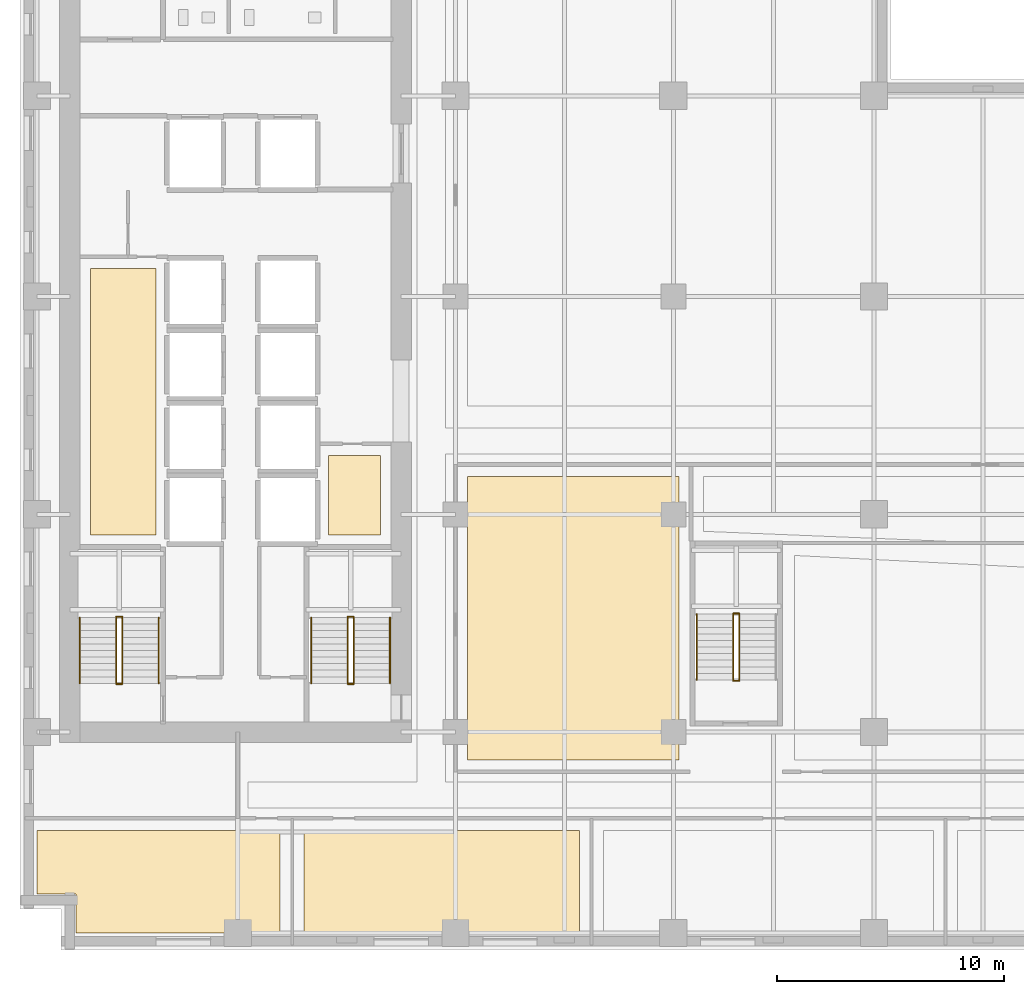
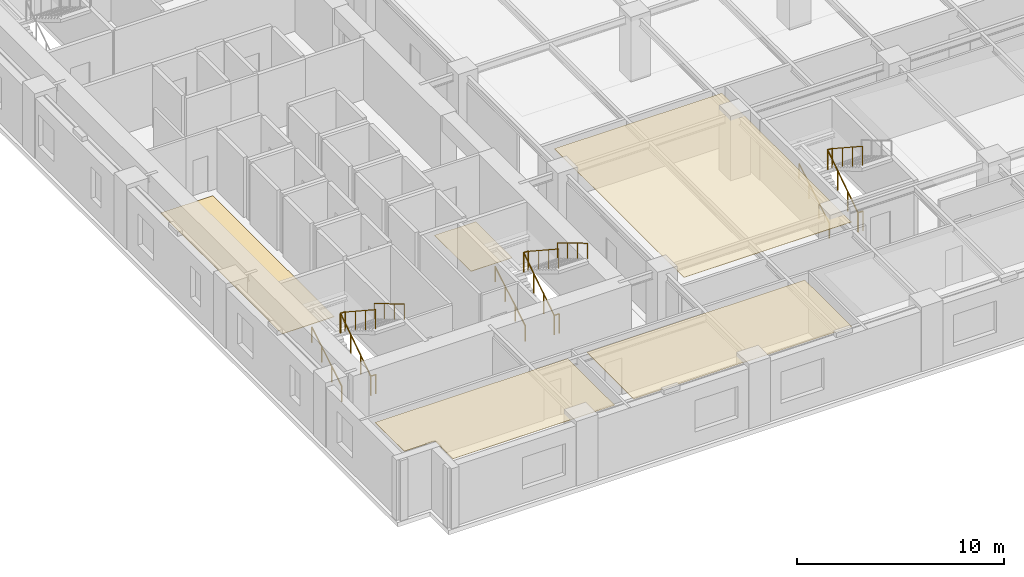
# One storey, part 9 of 13: 17 railings, 5 coverings.
"""IFC4 building model written with IfcOpenShell, lengths in metres."""

from ifc_helpers import new_model, si_unit, direction, frame, origin, origin_2d, place, context, subcontext, project, spatial, polyline, circle, outline, extrude, material, layer, layer_set, type_object, element, save


model = new_model("IFC4")

# Units and contexts
model_context = context("Model", 3, precision=1e-05, world=origin(), true_north=direction((0.0, 1.0)))
body_context = subcontext(model_context, "Body", "Model", "MODEL_VIEW")
ifc_project = project(units=[si_unit("LENGTHUNIT", "METRE"), si_unit("AREAUNIT", "SQUARE_METRE"), si_unit("VOLUMEUNIT", "CUBIC_METRE"), si_unit("PLANEANGLEUNIT", "RADIAN"), si_unit("MASSUNIT", "GRAM", prefix="KILO")], contexts=[model_context])

# Site, building, storey
site_placement = place(None, origin())
site = spatial("IfcSite", under=ifc_project, at=site_placement, CompositionType="ELEMENT")
building_placement = place(site_placement, origin())
building = spatial("IfcBuilding", under=site, at=building_placement, Name="Norrvale University Quadrangle", CompositionType="ELEMENT")
storey_placement = place(building_placement, frame((0.0, 0.0, 35.60009765625)))
storey = spatial("IfcBuildingStorey", under=building, at=storey_placement, Name="L08", CompositionType="ELEMENT", Elevation=35.60009765625)

# Coverings
ifc_material_1 = material(Name="Perforated Acoustic Mineral Ceiling")
ifc_layer_1 = layer(ifc_material_1, 0.02490234375, Name="Perforated Acoustic Mineral Ceiling")
ifc_layer_set_1 = layer_set([ifc_layer_1], Name="Perforated Acoustic Mineral Ceiling")
covering_type_1 = type_object("IfcCoveringType", Name="Covering Acoustic Ceiling 25", PredefinedType="CEILING", material=ifc_layer_set_1)
covering_1_placement = place(storey_placement, frame((0.0, 0.0, 3.514892578125)))
element("IfcCovering", 1, at=covering_1_placement, inside=storey, type_object=covering_type_1, Name="Acoustic Ceiling RM-L08-S01", PredefinedType="CEILING", context=body_context, shape_type="SweptSolid", body=[
    extrude(outline(polyline([(0.75, 5.27001953125), (11.469970703125, 5.27001953125), (11.469970703125, 0.75), (2.469970703125, 0.75), (2.469970703125, 2.469970703125), (0.75, 2.469970703125), (0.75, 5.27001953125)])), origin(), (0.0, 0.0, 1.0), 0.02490234375),
])
covering_2_placement = place(storey_placement, frame((0.0, 0.0, 3.514892578125)))
element("IfcCovering", 2, at=covering_2_placement, inside=storey, type_object=covering_type_1, Name="Acoustic Ceiling RM-L08-S02", PredefinedType="CEILING", context=body_context, shape_type="SweptSolid", body=[
    extrude(outline(polyline([(12.530029296875, 5.27001953125), (24.669921875, 5.27001953125), (24.669921875, 0.75), (12.530029296875, 0.75), (12.530029296875, 5.27001953125)])), origin(), (0.0, 0.0, 1.0), 0.02490234375),
])
covering_3_placement = place(storey_placement, frame((0.0, 0.0, 3.514892578125)))
element("IfcCovering", 3, at=covering_3_placement, inside=storey, type_object=covering_type_1, Name="Acoustic Ceiling RM-L08-IW1", PredefinedType="CEILING", context=body_context, shape_type="SweptSolid", body=[
    extrude(outline(polyline([(19.72998046875, 8.3798828125), (19.72998046875, 20.8701171875), (29.050048828125, 20.8701171875), (29.050048828125, 8.3798828125), (19.72998046875, 8.3798828125)])), origin(), (0.0, 0.0, 1.0), 0.02490234375),
])
ifc_material_2 = material(Name="Polished Terrazzo Flooring")
ifc_layer_2 = layer(ifc_material_2, 0.02490234375, Name="Polished Terrazzo Flooring")
ifc_layer_set_2 = layer_set([ifc_layer_2], Name="Polished Terrazzo Flooring")
covering_type_2 = type_object("IfcCoveringType", Name="Covering Terrazzo Floor 30", PredefinedType="FLOORING", material=ifc_layer_set_2)
covering_4_placement = place(storey_placement, origin())
element("IfcCovering", 4, at=covering_4_placement, inside=storey, type_object=covering_type_2, Name="Terrazzo Flooring RM-L08-JAN", PredefinedType="FLOORING", context=body_context, shape_type="SweptSolid", body=[
    extrude(outline(polyline([(13.60009765625, 18.300048828125), (13.60009765625, 21.800048828125), (15.89990234375, 21.800048828125), (15.89990234375, 18.300048828125), (13.60009765625, 18.300048828125)])), origin(), (0.0, 0.0, 1.0), 0.02490234375),
])
covering_5_placement = place(storey_placement, origin())
element("IfcCovering", 5, at=covering_5_placement, inside=storey, type_object=covering_type_2, Name="Terrazzo Flooring RM-L08-WSTOR", PredefinedType="FLOORING", context=body_context, shape_type="SweptSolid", body=[
    extrude(outline(polyline([(3.10009765625, 18.300048828125), (3.10009765625, 30.030029296875), (6.0, 30.030029296875), (6.0, 18.300048828125), (3.10009765625, 18.300048828125)])), origin(), (0.0, 0.0, 1.0), 0.02490234375),
])

# Railings
ifc_material_3 = material(Name="Steel 350W Painted Balustrade", Category="steel")
railing_type_1 = type_object("IfcRailingType", Name="Railing Stair Guard 1100", PredefinedType="GUARDRAIL", material=ifc_material_3)
for number, where, name in (
    (6, (4.239990234375, 11.719970703125, 0.0), "Stair Floor Well Guard ST-01 L08"),
    (7, (4.239990234375, 14.679931640625, 1.89990234375), "Stair Mid-Landing Slot Guard ST-01 L08"),
):
    element("IfcRailing", number, at=place(storey_placement, frame(where)), inside=storey, type_object=railing_type_1, Name=name, PredefinedType="GUARDRAIL", context=body_context, shape_type="SweptSolid", body=[
        extrude(circle(Radius=0.02392578125, at=origin_2d()), frame((0.0, 0.0, 1.1259765625), z_axis=(1.0, 0.0, 0.0), x_axis=(0.0, 1.0, 0.0)), (0.0, 0.0, 1.0), 0.27001953125),
        extrude(circle(Radius=0.02099609375, at=origin_2d()), origin(), (0.0, 0.0, 1.0), 1.101806640625),
        extrude(circle(Radius=0.02099609375, at=origin_2d()), frame((0.27001953125, 0.0, 0.0)), (0.0, 0.0, 1.0), 1.101806640625),
    ])
railing_1_placement = place(storey_placement, frame((4.239990234375, 11.75, 0.0)))
element("IfcRailing", 8, at=railing_1_placement, inside=storey, type_object=railing_type_1, Name="Stair Lower Flight Inner Guard ST-01 L08", PredefinedType="GUARDRAIL", context=body_context, shape_type="SweptSolid", body=[
    extrude(circle(Radius=0.02392578125, at=origin_2d()), frame((0.0, 0.0, 1.1259765625), z_axis=(0.0, 0.836465582154, 0.548019461216), x_axis=(-1.0, 0.0, 0.0)), (0.0, 0.0, 1.0), 3.466796875),
    extrude(circle(Radius=0.02099609375, at=origin_2d()), origin(), (0.0, 0.0, 1.0), 1.101806640625),
    extrude(circle(Radius=0.02099609375, at=origin_2d()), frame((0.0, 0.966552734375, 0.63330078125)), (0.0, 0.0, 1.0), 1.101806640625),
    extrude(circle(Radius=0.02099609375, at=origin_2d()), frame((0.0, 1.933349609375, 1.2666015625)), (0.0, 0.0, 1.0), 1.101806640625),
    extrude(circle(Radius=0.02099609375, at=origin_2d()), frame((0.0, 2.89990234375, 1.89990234375)), (0.0, 0.0, 1.0), 1.101806640625),
])
railing_2_placement = place(storey_placement, frame((4.510009765625, 14.64990234375, 1.89990234375)))
element("IfcRailing", 9, at=railing_2_placement, inside=storey, type_object=railing_type_1, Name="Stair Upper Flight Inner Guard ST-01 L08", PredefinedType="GUARDRAIL", context=body_context, shape_type="SweptSolid", body=[
    extrude(circle(Radius=0.02392578125, at=origin_2d()), frame((0.0, 0.0, 1.1259765625), z_axis=(0.0, -0.836465582154, 0.548019461216), x_axis=(1.0, 0.0, 0.0)), (0.0, 0.0, 1.0), 3.466796875),
    extrude(circle(Radius=0.02099609375, at=origin_2d()), origin(), (0.0, 0.0, 1.0), 1.101806640625),
    extrude(circle(Radius=0.02099609375, at=origin_2d()), frame((0.0, -0.966552734375, 0.63330078125)), (0.0, 0.0, 1.0), 1.101806640625),
    extrude(circle(Radius=0.02099609375, at=origin_2d()), frame((0.0, -1.933349609375, 1.2666015625)), (0.0, 0.0, 1.0), 1.101806640625),
    extrude(circle(Radius=0.02099609375, at=origin_2d()), frame((0.0, -2.89990234375, 1.89990234375)), (0.0, 0.0, 1.0), 1.101806640625),
])
for number, where, name in (
    (10, (14.43994140625, 11.719970703125, 0.0), "Stair Floor Well Guard ST-03 L08"),
    (11, (14.43994140625, 14.679931640625, 1.89990234375), "Stair Mid-Landing Slot Guard ST-03 L08"),
):
    element("IfcRailing", number, at=place(storey_placement, frame(where)), inside=storey, type_object=railing_type_1, Name=name, PredefinedType="GUARDRAIL", context=body_context, shape_type="SweptSolid", body=[
        extrude(circle(Radius=0.02392578125, at=origin_2d()), frame((0.0, 0.0, 1.1259765625), z_axis=(1.0, 0.0, 0.0), x_axis=(0.0, 1.0, 0.0)), (0.0, 0.0, 1.0), 0.27001953125),
        extrude(circle(Radius=0.02099609375, at=origin_2d()), origin(), (0.0, 0.0, 1.0), 1.101806640625),
        extrude(circle(Radius=0.02099609375, at=origin_2d()), frame((0.27001953125, 0.0, 0.0)), (0.0, 0.0, 1.0), 1.101806640625),
    ])
railing_3_placement = place(storey_placement, frame((14.43994140625, 11.75, 0.0)))
element("IfcRailing", 12, at=railing_3_placement, inside=storey, type_object=railing_type_1, Name="Stair Lower Flight Inner Guard ST-03 L08", PredefinedType="GUARDRAIL", context=body_context, shape_type="SweptSolid", body=[
    extrude(circle(Radius=0.02392578125, at=origin_2d()), frame((0.0, 0.0, 1.1259765625), z_axis=(0.0, 0.836465582154, 0.548019461216), x_axis=(-1.0, 0.0, 0.0)), (0.0, 0.0, 1.0), 3.466796875),
    extrude(circle(Radius=0.02099609375, at=origin_2d()), origin(), (0.0, 0.0, 1.0), 1.101806640625),
    extrude(circle(Radius=0.02099609375, at=origin_2d()), frame((0.0, 0.966552734375, 0.63330078125)), (0.0, 0.0, 1.0), 1.101806640625),
    extrude(circle(Radius=0.02099609375, at=origin_2d()), frame((0.0, 1.933349609375, 1.2666015625)), (0.0, 0.0, 1.0), 1.101806640625),
    extrude(circle(Radius=0.02099609375, at=origin_2d()), frame((0.0, 2.89990234375, 1.89990234375)), (0.0, 0.0, 1.0), 1.101806640625),
])
railing_4_placement = place(storey_placement, frame((14.7099609375, 14.64990234375, 1.89990234375)))
element("IfcRailing", 13, at=railing_4_placement, inside=storey, type_object=railing_type_1, Name="Stair Upper Flight Inner Guard ST-03 L08", PredefinedType="GUARDRAIL", context=body_context, shape_type="SweptSolid", body=[
    extrude(circle(Radius=0.02392578125, at=origin_2d()), frame((0.0, 0.0, 1.1259765625), z_axis=(0.0, -0.836465582154, 0.548019461216), x_axis=(1.0, 0.0, 0.0)), (0.0, 0.0, 1.0), 3.466796875),
    extrude(circle(Radius=0.02099609375, at=origin_2d()), origin(), (0.0, 0.0, 1.0), 1.101806640625),
    extrude(circle(Radius=0.02099609375, at=origin_2d()), frame((0.0, -0.966552734375, 0.63330078125)), (0.0, 0.0, 1.0), 1.101806640625),
    extrude(circle(Radius=0.02099609375, at=origin_2d()), frame((0.0, -1.933349609375, 1.2666015625)), (0.0, 0.0, 1.0), 1.101806640625),
    extrude(circle(Radius=0.02099609375, at=origin_2d()), frame((0.0, -2.89990234375, 1.89990234375)), (0.0, 0.0, 1.0), 1.101806640625),
])
for number, where, name in (
    (14, (31.43994140625, 11.8701171875, 0.0), "Stair Floor Well Guard ST-04 L08"),
    (15, (31.43994140625, 14.830078125, 1.89990234375), "Stair Mid-Landing Slot Guard ST-04 L08"),
):
    element("IfcRailing", number, at=place(storey_placement, frame(where)), inside=storey, type_object=railing_type_1, Name=name, PredefinedType="GUARDRAIL", context=body_context, shape_type="SweptSolid", body=[
        extrude(circle(Radius=0.02392578125, at=origin_2d()), frame((0.0, 0.0, 1.1259765625), z_axis=(1.0, 0.0, 0.0), x_axis=(0.0, 1.0, 0.0)), (0.0, 0.0, 1.0), 0.27001953125),
        extrude(circle(Radius=0.02099609375, at=origin_2d()), origin(), (0.0, 0.0, 1.0), 1.101806640625),
        extrude(circle(Radius=0.02099609375, at=origin_2d()), frame((0.27001953125, 0.0, 0.0)), (0.0, 0.0, 1.0), 1.101806640625),
    ])
railing_5_placement = place(storey_placement, frame((31.43994140625, 11.89990234375, 0.0)))
element("IfcRailing", 16, at=railing_5_placement, inside=storey, type_object=railing_type_1, Name="Stair Lower Flight Inner Guard ST-04 L08", PredefinedType="GUARDRAIL", context=body_context, shape_type="SweptSolid", body=[
    extrude(circle(Radius=0.02392578125, at=origin_2d()), frame((0.0, 0.0, 1.1259765625), z_axis=(0.0, 0.836486729621, 0.547987181573), x_axis=(-1.0, 0.0, 0.0)), (0.0, 0.0, 1.0), 3.467041015625),
    extrude(circle(Radius=0.02099609375, at=origin_2d()), origin(), (0.0, 0.0, 1.0), 1.101806640625),
    extrude(circle(Radius=0.02099609375, at=origin_2d()), frame((0.0, 0.966796875, 0.63330078125)), (0.0, 0.0, 1.0), 1.101806640625),
    extrude(circle(Radius=0.02099609375, at=origin_2d()), frame((0.0, 1.933349609375, 1.2666015625)), (0.0, 0.0, 1.0), 1.101806640625),
    extrude(circle(Radius=0.02099609375, at=origin_2d()), frame((0.0, 2.900146484375, 1.89990234375)), (0.0, 0.0, 1.0), 1.101806640625),
])
railing_6_placement = place(storey_placement, frame((31.7099609375, 14.800048828125, 1.89990234375)))
element("IfcRailing", 17, at=railing_6_placement, inside=storey, type_object=railing_type_1, Name="Stair Upper Flight Inner Guard ST-04 L08", PredefinedType="GUARDRAIL", context=body_context, shape_type="SweptSolid", body=[
    extrude(circle(Radius=0.02392578125, at=origin_2d()), frame((0.0, 0.0, 1.1259765625), z_axis=(0.0, -0.836486729621, 0.547987181573), x_axis=(1.0, 0.0, 0.0)), (0.0, 0.0, 1.0), 3.467041015625),
    extrude(circle(Radius=0.02099609375, at=origin_2d()), origin(), (0.0, 0.0, 1.0), 1.101806640625),
    extrude(circle(Radius=0.02099609375, at=origin_2d()), frame((0.0, -0.966796875, 0.63330078125)), (0.0, 0.0, 1.0), 1.101806640625),
    extrude(circle(Radius=0.02099609375, at=origin_2d()), frame((0.0, -1.933349609375, 1.2666015625)), (0.0, 0.0, 1.0), 1.101806640625),
    extrude(circle(Radius=0.02099609375, at=origin_2d()), frame((0.0, -2.900146484375, 1.89990234375)), (0.0, 0.0, 1.0), 1.101806640625),
])
ifc_material_4 = material(Name="Stainless Steel 316L Handrail", Category="steel")
railing_type_2 = type_object("IfcRailingType", Name="Railing Stair Handrail 920", PredefinedType="HANDRAIL", material=ifc_material_4)
railing_7_placement = place(storey_placement, frame((2.639892578125, 11.75, 0.172607421875)))
element("IfcRailing", 18, at=railing_7_placement, inside=storey, type_object=railing_type_2, Name="Stair Lower Flight Handrail ST-01 L08", PredefinedType="HANDRAIL", context=body_context, shape_type="SweptSolid", body=[
    extrude(circle(Radius=0.02392578125, at=origin_2d()), frame((0.0, 0.0, 0.89599609375), z_axis=(0.0, 0.859141464434, 0.511738159696), x_axis=(-1.0, 0.0, 0.0)), (0.0, 0.0, 1.0), 3.375244140625),
    extrude(circle(Radius=0.02099609375, at=origin_2d()), origin(), (0.0, 0.0, 1.0), 0.871826171875),
    extrude(circle(Radius=0.02099609375, at=origin_2d()), frame((0.0, 0.966552734375, 0.57568359375)), (0.0, 0.0, 1.0), 0.871826171875),
    extrude(circle(Radius=0.02099609375, at=origin_2d()), frame((0.0, 1.933349609375, 1.151611328125)), (0.0, 0.0, 1.0), 0.871826171875),
    extrude(circle(Radius=0.02099609375, at=origin_2d()), frame((0.0, 2.89990234375, 1.727294921875)), (0.0, 0.0, 1.0), 0.871826171875),
])
railing_8_placement = place(storey_placement, frame((6.110107421875, 14.64990234375, 2.072509765625)))
element("IfcRailing", 19, at=railing_8_placement, inside=storey, type_object=railing_type_2, Name="Stair Upper Flight Handrail ST-01 L08", PredefinedType="HANDRAIL", context=body_context, shape_type="SweptSolid", body=[
    extrude(circle(Radius=0.02392578125, at=origin_2d()), frame((0.0, 0.0, 0.89599609375), z_axis=(0.0, -0.859141464434, 0.511738159696), x_axis=(1.0, 0.0, 0.0)), (0.0, 0.0, 1.0), 3.375244140625),
    extrude(circle(Radius=0.02099609375, at=origin_2d()), origin(), (0.0, 0.0, 1.0), 0.871826171875),
    extrude(circle(Radius=0.02099609375, at=origin_2d()), frame((0.0, -0.966552734375, 0.57568359375)), (0.0, 0.0, 1.0), 0.871826171875),
    extrude(circle(Radius=0.02099609375, at=origin_2d()), frame((0.0, -1.933349609375, 1.151611328125)), (0.0, 0.0, 1.0), 0.871826171875),
    extrude(circle(Radius=0.02099609375, at=origin_2d()), frame((0.0, -2.89990234375, 1.727294921875)), (0.0, 0.0, 1.0), 0.871826171875),
])
railing_9_placement = place(storey_placement, frame((12.840087890625, 11.75, 0.172607421875)))
element("IfcRailing", 20, at=railing_9_placement, inside=storey, type_object=railing_type_2, Name="Stair Lower Flight Handrail ST-03 L08", PredefinedType="HANDRAIL", context=body_context, shape_type="SweptSolid", body=[
    extrude(circle(Radius=0.02392578125, at=origin_2d()), frame((0.0, 0.0, 0.89599609375), z_axis=(0.0, 0.859141464434, 0.511738159696), x_axis=(-1.0, 0.0, 0.0)), (0.0, 0.0, 1.0), 3.375244140625),
    extrude(circle(Radius=0.02099609375, at=origin_2d()), origin(), (0.0, 0.0, 1.0), 0.871826171875),
    extrude(circle(Radius=0.02099609375, at=origin_2d()), frame((0.0, 0.966552734375, 0.57568359375)), (0.0, 0.0, 1.0), 0.871826171875),
    extrude(circle(Radius=0.02099609375, at=origin_2d()), frame((0.0, 1.933349609375, 1.151611328125)), (0.0, 0.0, 1.0), 0.871826171875),
    extrude(circle(Radius=0.02099609375, at=origin_2d()), frame((0.0, 2.89990234375, 1.727294921875)), (0.0, 0.0, 1.0), 0.871826171875),
])
railing_10_placement = place(storey_placement, frame((16.31005859375, 14.64990234375, 2.072509765625)))
element("IfcRailing", 21, at=railing_10_placement, inside=storey, type_object=railing_type_2, Name="Stair Upper Flight Handrail ST-03 L08", PredefinedType="HANDRAIL", context=body_context, shape_type="SweptSolid", body=[
    extrude(circle(Radius=0.02392578125, at=origin_2d()), frame((0.0, 0.0, 0.89599609375), z_axis=(0.0, -0.859141464434, 0.511738159696), x_axis=(1.0, 0.0, 0.0)), (0.0, 0.0, 1.0), 3.375244140625),
    extrude(circle(Radius=0.02099609375, at=origin_2d()), origin(), (0.0, 0.0, 1.0), 0.871826171875),
    extrude(circle(Radius=0.02099609375, at=origin_2d()), frame((0.0, -0.966552734375, 0.57568359375)), (0.0, 0.0, 1.0), 0.871826171875),
    extrude(circle(Radius=0.02099609375, at=origin_2d()), frame((0.0, -1.933349609375, 1.151611328125)), (0.0, 0.0, 1.0), 0.871826171875),
    extrude(circle(Radius=0.02099609375, at=origin_2d()), frame((0.0, -2.89990234375, 1.727294921875)), (0.0, 0.0, 1.0), 0.871826171875),
])
railing_11_placement = place(storey_placement, frame((29.840087890625, 11.89990234375, 0.172607421875)))
element("IfcRailing", 22, at=railing_11_placement, inside=storey, type_object=railing_type_2, Name="Stair Lower Flight Handrail ST-04 L08", PredefinedType="HANDRAIL", context=body_context, shape_type="SweptSolid", body=[
    extrude(circle(Radius=0.02392578125, at=origin_2d()), frame((0.0, 0.0, 0.89599609375), z_axis=(0.0, 0.859160404282, 0.51170636083), x_axis=(-1.0, 0.0, 0.0)), (0.0, 0.0, 1.0), 3.37548828125),
    extrude(circle(Radius=0.02099609375, at=origin_2d()), origin(), (0.0, 0.0, 1.0), 0.871826171875),
    extrude(circle(Radius=0.02099609375, at=origin_2d()), frame((0.0, 0.966796875, 0.57568359375)), (0.0, 0.0, 1.0), 0.871826171875),
    extrude(circle(Radius=0.02099609375, at=origin_2d()), frame((0.0, 1.933349609375, 1.151611328125)), (0.0, 0.0, 1.0), 0.871826171875),
    extrude(circle(Radius=0.02099609375, at=origin_2d()), frame((0.0, 2.900146484375, 1.727294921875)), (0.0, 0.0, 1.0), 0.871826171875),
])

save(model, "model.ifc")
